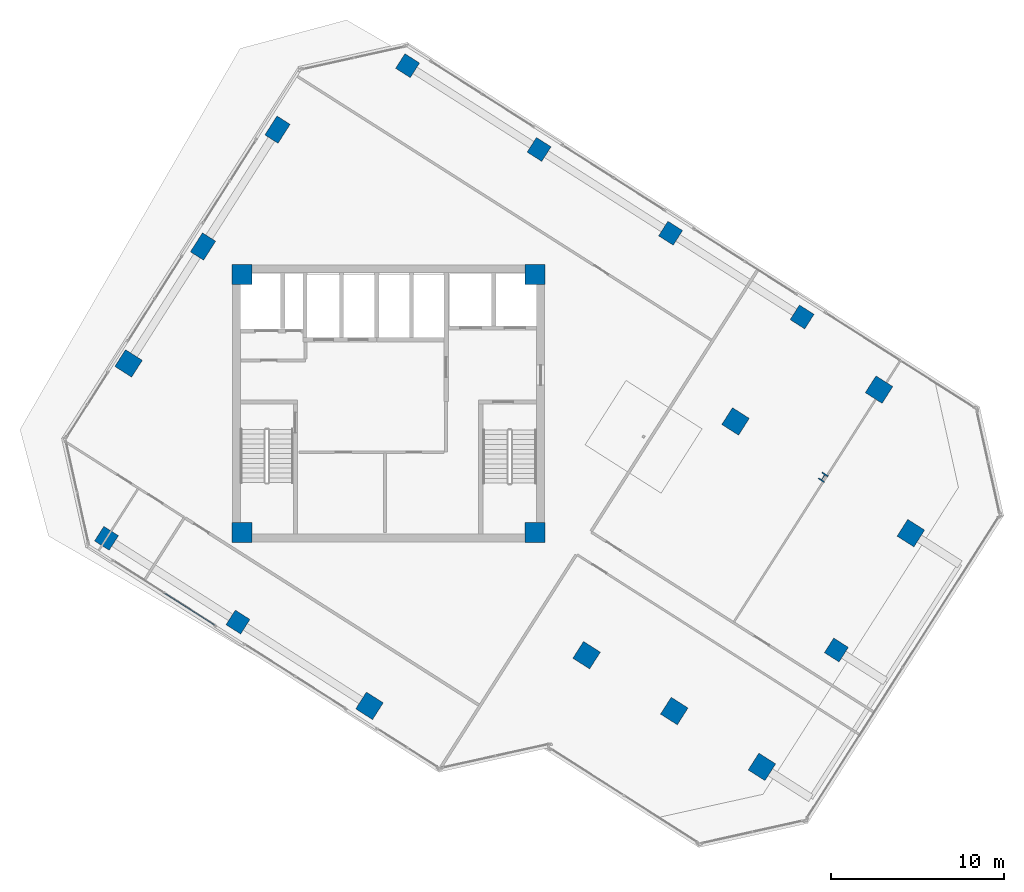
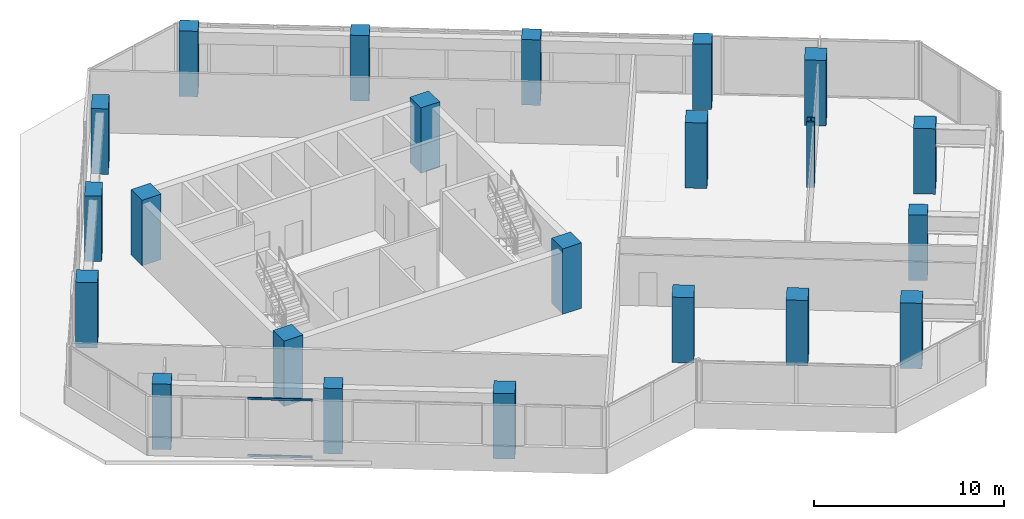
# One storey, part 1 of 23: 22 columns, 2 members, 1 element without a shape of its own.
"""IFC4 building model written with IfcOpenShell, lengths in metres."""

from ifc_helpers import new_model, si_unit, direction, frame, origin, origin_2d, place, context, subcontext, project, spatial, rectangle, hollow_rectangle, i_section, extrude, source, transform, mapped, material, material_profile, profile_set, type_object, element, aggregate, save


model = new_model("IFC4")

# Units and contexts
model_context = context("Model", 3, precision=1e-05, world=origin(), true_north=direction((0.0, 1.0)))
body_context = subcontext(model_context, "Body", "Model", "MODEL_VIEW")
ifc_project = project(units=[si_unit("LENGTHUNIT", "METRE"), si_unit("AREAUNIT", "SQUARE_METRE"), si_unit("VOLUMEUNIT", "CUBIC_METRE"), si_unit("PLANEANGLEUNIT", "RADIAN"), si_unit("MASSUNIT", "GRAM", prefix="KILO")], contexts=[model_context])

# Site, building, storey
site_placement = place(None, origin())
site = spatial("IfcSite", under=ifc_project, at=site_placement, CompositionType="ELEMENT")
building_placement = place(site_placement, origin())
building = spatial("IfcBuilding", under=site, at=building_placement, Name="Torre Montelarca", CompositionType="ELEMENT")
storey_placement = place(building_placement, frame((0.0, 0.0, 187.60009765625)))
storey = spatial("IfcBuildingStorey", under=building, at=storey_placement, Name="L42", CompositionType="ELEMENT", Elevation=187.60009765625)

# Columns
ifc_material_1 = material(Name="Concrete C55/67", Category="concrete")
ifc_material_profile_1 = material_profile(ifc_material_1, rectangle(XDim=1.14990234375, YDim=1.14990234375, at=origin_2d()), Name="RC1150X1150", Category="concrete")
ifc_profile_set_1 = profile_set([ifc_material_profile_1], Name="Concrete C55/67")
column_type_1 = type_object("IfcColumnType", Name="COL-RC1150", PredefinedType="COLUMN", material=ifc_profile_set_1)
shared_shape_1 = source(origin(), body_context, "Body", "SweptSolid", [
    extrude(rectangle(XDim=1.14990234375, YDim=1.14990234375, at=origin_2d()), origin(), (0.0, 0.0, 1.0), 4.198486328125),
])
for number, where, z_axis, x_axis, name in (
    (1, (9.550048828125, 24.550048828125, 0.000732421875), (0.0, 0.0, 1.0), (1.0, 0.0, 0.0), "L42 Plumb Core Corner Column 2D"),
    (2, (26.449951171875, 24.550048828125, 0.000732421875), (0.0, 0.0, 1.0), (1.0, 0.0, 0.0), "L42 Plumb Core Corner Column 4D"),
    (3, (9.550048828125, 39.449951171875, 0.000732421875), (0.0, 0.0, 1.0), (1.0, 0.0, 0.0), "L42 Plumb Core Corner Column 2F"),
    (4, (26.449951171875, 39.449951171875, 0.000732421875), (0.0, 0.0, 1.0), (1.0, 0.0, 0.0), "L42 Plumb Core Corner Column 4F"),
    (5, (29.430908203125, 17.4619140625, 0.000732421875), (0.0, 0.0, 1.0), (-0.843391445813, 0.537299608347, 0.0), "L42 Column 5/D"),
    (6, (38.027587890625, 30.956298828125, 0.000732421875), (0.0, 0.0, 1.0), (-0.843391445813, 0.537299608347, 0.0), "L42 Column 5/F"),
    (7, (34.4912109375, 14.23828125, 0.000732421875), (0.0, 0.0, 1.0), (-0.843391445813, 0.537299608347, 0.0), "L42 Column 6/D"),
    (8, (46.311767578125, 32.792724609375, 0.000732421875), (0.0, 0.0, 1.0), (-0.843391445813, 0.537299608347, 0.0), "L42 Column 6/G"),
):
    element("IfcColumn", number, at=place(storey_placement, frame(where, z_axis=z_axis, x_axis=x_axis)), inside=storey, type_object=column_type_1, Name=name, PredefinedType="COLUMN", context=body_context, shape_type="MappedRepresentation", body=[
        mapped(shared_shape_1, transform((0.0, 0.0, 0.0), scale=1.0)),
    ])
ifc_material_profile_2 = material_profile(ifc_material_1, rectangle(XDim=0.89990234375, YDim=1.300048828125, at=origin_2d()), Name="RC1300X900", Category="concrete")
ifc_profile_set_2 = profile_set([ifc_material_profile_2], Name="Concrete C55/67")
column_type_2 = type_object("IfcColumnType", Name="COL-PIL1300-EXT", PredefinedType="PILASTER", material=ifc_profile_set_2)
shared_shape_2 = source(origin(), body_context, "Body", "SweptSolid", [
    extrude(rectangle(XDim=0.89990234375, YDim=1.300048828125, at=origin_2d()), origin(), (0.0, 0.0, 1.0), 4.198486328125),
])
for number, where, z_axis, x_axis, name in (
    (9, (7.288818359375, 41.053466796875, 0.000732421875), (0.0, 0.0, 1.0), (-0.843391445813, 0.537299608347, 0.0), "L42 Column 1W/E"),
    (10, (11.58740234375, 47.800537109375, 0.000732421875), (0.0, 0.0, 1.0), (-0.843391445813, 0.537299608347, 0.0), "L42 Column 1W/F"),
):
    element("IfcColumn", number, at=place(storey_placement, frame(where, z_axis=z_axis, x_axis=x_axis)), inside=storey, type_object=column_type_2, Name=name, PredefinedType="PILASTER", context=body_context, shape_type="MappedRepresentation", body=[
        mapped(shared_shape_2, transform((0.0, 0.0, 0.0), scale=1.0)),
    ])
ifc_material_profile_3 = material_profile(ifc_material_1, rectangle(XDim=1.14990234375, YDim=1.14990234375, at=origin_2d()), Name="RC1150X1150", Category="concrete")
ifc_profile_set_3 = profile_set([ifc_material_profile_3], Name="Concrete C55/67")
column_type_3 = type_object("IfcColumnType", Name="COL-RC1150-EXT", PredefinedType="COLUMN", material=ifc_profile_set_3)
shared_shape_3 = source(origin(), body_context, "Body", "SweptSolid", [
    extrude(rectangle(XDim=1.14990234375, YDim=1.14990234375, at=origin_2d()), origin(), (0.0, 0.0, 1.0), 4.198486328125),
])
for number, where, z_axis, x_axis, name in (
    (11, (16.897216796875, 14.53857421875, 0.000732421875), (0.0, 0.0, 1.0), (-0.843391445813, 0.537299608347, 0.0), "L42 Column 4/CS"),
    (12, (39.551513671875, 11.014404296875, 0.000732421875), (0.0, 0.0, 1.0), (-0.843391445813, 0.537299608347, 0.0), "L42 Column 7/D"),
    (13, (48.148193359375, 24.5087890625, 0.000732421875), (0.0, 0.0, 1.0), (-0.843391445813, 0.537299608347, 0.0), "L42 Column 7/F"),
    (14, (2.990478515625, 34.306396484375, 0.000732421875), (0.0, 0.0, 1.0), (-0.843391445813, 0.537299608347, 0.0), "L42 Column 1W/D"),
):
    element("IfcColumn", number, at=place(storey_placement, frame(where, z_axis=z_axis, x_axis=x_axis)), inside=storey, type_object=column_type_3, Name=name, PredefinedType="COLUMN", context=body_context, shape_type="MappedRepresentation", body=[
        mapped(shared_shape_3, transform((0.0, 0.0, 0.0), scale=1.0)),
    ])
ifc_material_2 = material(Name="Steel ASTM A992 Grade 50", Category="steel")
ifc_material_profile_4 = material_profile(ifc_material_2, i_section(OverallWidth=0.4208984375, OverallDepth=0.465087890625, WebThickness=0.044921875, FlangeThickness=0.072265625, FilletRadius=0.014892578125, at=origin_2d()), Name="W360X592", Category="steel")
ifc_profile_set_4 = profile_set([ifc_material_profile_4], Name="Steel ASTM A992 Grade 50")
column_type_4 = type_object("IfcColumnType", Name="COL-W360X592", PredefinedType="COLUMN", material=ifc_profile_set_4)
shared_shape_4 = source(origin(), body_context, "Body", "SweptSolid", [
    extrude(i_section(OverallWidth=0.4208984375, OverallDepth=0.465087890625, WebThickness=0.044921875, FlangeThickness=0.072265625, FilletRadius=0.014892578125, at=origin_2d()), origin(), (0.0, 0.0, 1.0), 4.198486328125),
])
column_placement = place(storey_placement, frame((43.087890625, 27.732421875, 0.000732421875), z_axis=(0.0, 0.0, 1.0), x_axis=(-0.843391445813, 0.537299608347, 0.0)))
element("IfcColumn", 15, at=column_placement, inside=storey, type_object=column_type_4, Name="L42 Column 6/F", PredefinedType="COLUMN", context=body_context, shape_type="MappedRepresentation", body=[
    mapped(shared_shape_4, transform((0.0, 0.0, 0.0), scale=1.0)),
])
ifc_material_profile_5 = material_profile(ifc_material_1, rectangle(XDim=1.0, YDim=1.0, at=origin_2d()), Name="RC1000X1000", Category="concrete")
ifc_profile_set_5 = profile_set([ifc_material_profile_5], Name="Concrete C55/67")
column_type_5 = type_object("IfcColumnType", Name="COL-RC1000-EXT", PredefinedType="COLUMN", material=ifc_profile_set_5)
shared_shape_5 = source(origin(), body_context, "Body", "SweptSolid", [
    extrude(rectangle(XDim=1.0, YDim=1.0, at=origin_2d()), origin(), (0.0, 0.0, 1.0), 4.198486328125),
])
for number, where, z_axis, x_axis, name in (
    (16, (1.716064453125, 24.2099609375, 0.000732421875), (0.0, 0.0, 1.0), (-0.843391445813, 0.537299608347, 0.0), "L42 Column 2/CS"),
    (17, (19.09765625, 51.49365234375, 0.000732421875), (0.0, 0.0, 1.0), (-0.843391445813, 0.537299608347, 0.0), "L42 Column 2/GN"),
    (18, (9.306640625, 19.374267578125, 0.000732421875), (0.0, 0.0, 1.0), (-0.843391445813, 0.537299608347, 0.0), "L42 Column 3/CS"),
    (19, (26.688232421875, 46.657958984375, 0.000732421875), (0.0, 0.0, 1.0), (-0.843391445813, 0.537299608347, 0.0), "L42 Column 3/GN"),
    (20, (34.27880859375, 41.822265625, 0.000732421875), (0.0, 0.0, 1.0), (-0.843391445813, 0.537299608347, 0.0), "L42 Column 4/GN"),
    (21, (41.869384765625, 36.986572265625, 0.000732421875), (0.0, 0.0, 1.0), (-0.843391445813, 0.537299608347, 0.0), "L42 Column 5/GN"),
    (22, (43.849853515625, 17.76171875, 0.000732421875), (0.0, 0.0, 1.0), (-0.843391445813, 0.537299608347, 0.0), "L42 Column 7/E"),
):
    element("IfcColumn", number, at=place(storey_placement, frame(where, z_axis=z_axis, x_axis=x_axis)), inside=storey, type_object=column_type_5, Name=name, PredefinedType="COLUMN", context=body_context, shape_type="MappedRepresentation", body=[
        mapped(shared_shape_5, transform((0.0, 0.0, 0.0), scale=1.0)),
    ])

# Curtain wall, members
ifc_material_3 = material(Name="Insulated low-E laminated glass", Category="glass")
curtain_wall_type = type_object("IfcCurtainWallType", Name="CW-SYS-Z2", PredefinedType="USERDEFINED", material=ifc_material_3)
curtain_wall_placement = place(storey_placement, origin())
curtain_wall = element("IfcCurtainWall", 23, at=curtain_wall_placement, inside=storey, type_object=curtain_wall_type, Name="L42 Curtain Wall Run CW-T3-L42-E01-B1", ObjectType="UNITISED GLAZING", PredefinedType="USERDEFINED")
ifc_material_4 = material(Name="Anodised aluminium AA 6063-T6", Category="aluminium")
ifc_material_profile_6 = material_profile(ifc_material_4, hollow_rectangle(XDim=0.06494140625, YDim=0.139892578125, WallThickness=0.00390625, InnerFilletRadius=0.00390625, OuterFilletRadius=0.008056640625, at=origin_2d()), Name="ALU65X140X4", Category="aluminium")
ifc_profile_set_6 = profile_set([ifc_material_profile_6], Name="Anodised aluminium AA 6063-T6")
member_type = type_object("IfcMemberType", Name="CWT-ALU140", PredefinedType="USERDEFINED", material=ifc_profile_set_6)
shared_shape_6 = source(origin(), body_context, "Body", "SweptSolid", [
    extrude(hollow_rectangle(XDim=0.06494140625, YDim=0.139892578125, WallThickness=0.00390625, InnerFilletRadius=0.00390625, OuterFilletRadius=0.008056640625, at=origin_2d()), origin(), (0.0, 0.0, 1.0), 3.42236328125),
])
member_1_placement = place(storey_placement, frame((5.0712890625, 21.040771484375, 0.032470703125), z_axis=(0.843394086607, -0.537295463108, 0.0), x_axis=(0.537295463108, 0.843394086607, 0.0)))
member_1 = element("IfcMember", 24, at=member_1_placement, type_object=member_type, Name="CW transom 2.1", ObjectType="TRANSOM", PredefinedType="USERDEFINED", context=body_context, shape_type="MappedRepresentation", body=[
    mapped(shared_shape_6, transform((0.0, 0.0, 0.0), scale=1.0)),
])
member_2_placement = place(storey_placement, frame((5.0712890625, 21.040771484375, 3.6875), z_axis=(0.843394086607, -0.537295463108, 0.0), x_axis=(0.537295463108, 0.843394086607, 0.0)))
member_2 = element("IfcMember", 25, at=member_2_placement, type_object=member_type, Name="CW transom 2.2", ObjectType="TRANSOM", PredefinedType="USERDEFINED", context=body_context, shape_type="MappedRepresentation", body=[
    mapped(shared_shape_6, transform((0.0, 0.0, 0.0), scale=1.0)),
])
aggregate(curtain_wall, [member_1, member_2])

save(model, "model.ifc")
